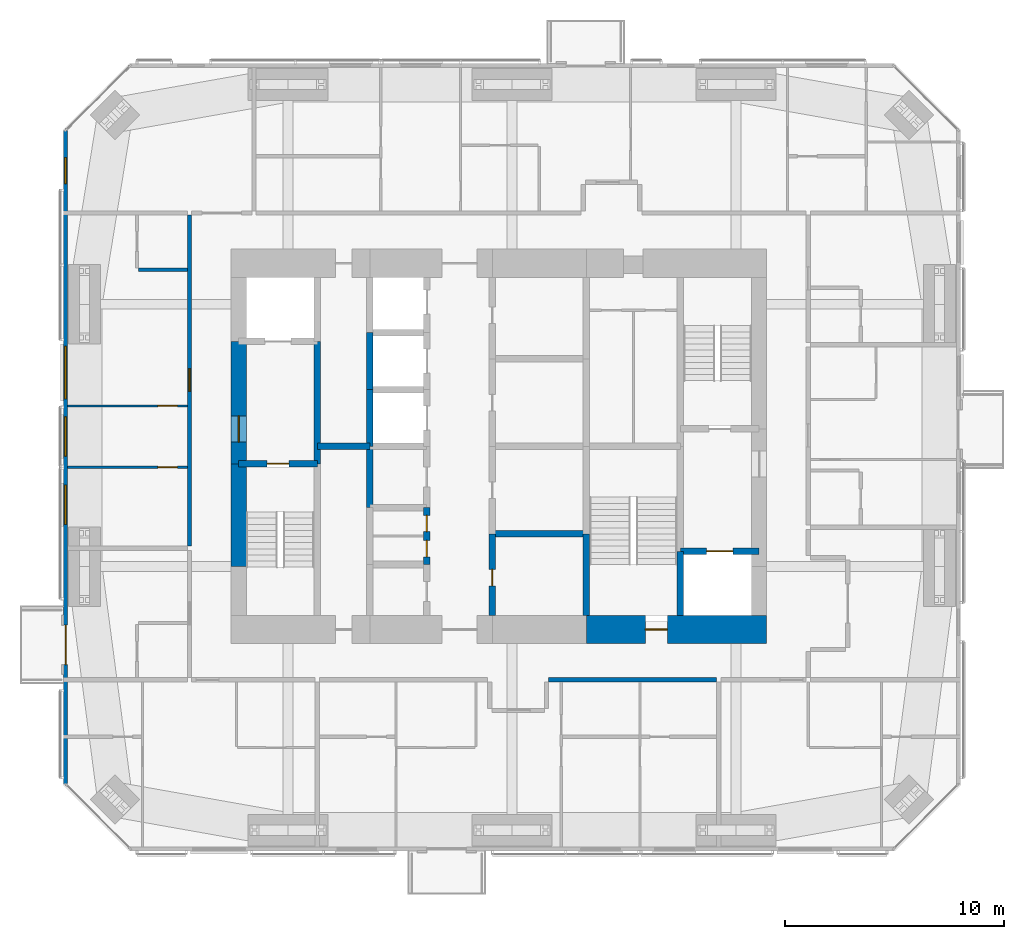
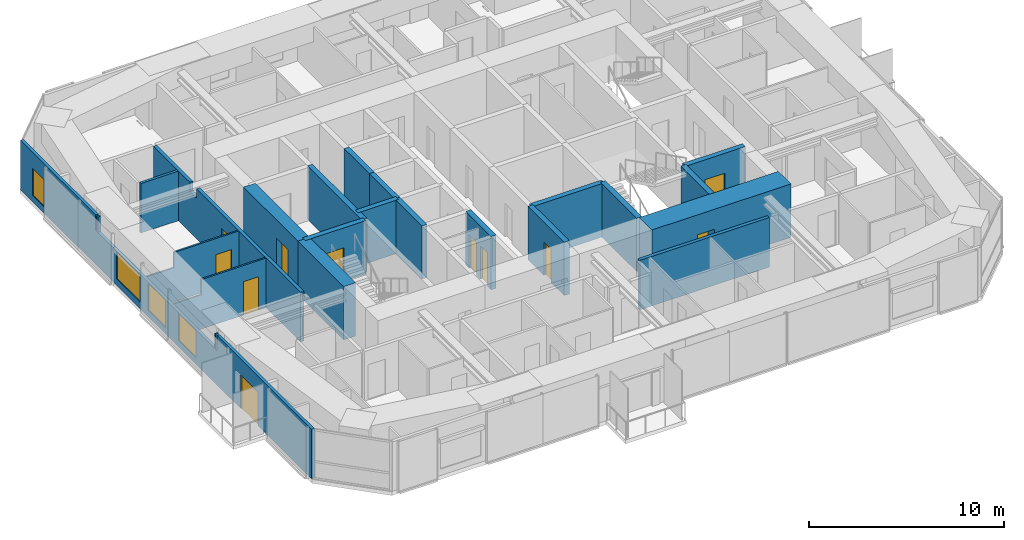
# One storey, part 18 of 23: 21 walls, 11 doors, 4 windows, 15 openings.
"""IFC4 building model written with IfcOpenShell, lengths in metres."""

from ifc_helpers import new_model, si_unit, direction, frame, frame_2d, origin, place, context, subcontext, project, spatial, polyline, rectangle, outline, extrude, material, layer, layer_set, constituent, constituent_set, type_object, element, fill, save


model = new_model("IFC4")

# Units and contexts
model_context = context("Model", 3, precision=1e-05, world=origin(), true_north=direction((0.0, 1.0)))
body_context = subcontext(model_context, "Body", "Model", "MODEL_VIEW")
ifc_project = project(units=[si_unit("LENGTHUNIT", "METRE"), si_unit("AREAUNIT", "SQUARE_METRE"), si_unit("VOLUMEUNIT", "CUBIC_METRE"), si_unit("PLANEANGLEUNIT", "RADIAN"), si_unit("MASSUNIT", "GRAM", prefix="KILO")], contexts=[model_context])

# Site, building, storey
site_placement = place(None, origin())
site = spatial("IfcSite", under=ifc_project, at=site_placement, CompositionType="ELEMENT")
building_placement = place(site_placement, origin())
building = spatial("IfcBuilding", under=site, at=building_placement, Name="Jalousie Tower", CompositionType="ELEMENT")
storey_placement = place(building_placement, frame((0.0, 0.0, 181.14990234375)))
storey = spatial("IfcBuildingStorey", under=building, at=storey_placement, Name="L49", CompositionType="ELEMENT", Elevation=181.14990234375)

# Wall
ifc_material_1 = material(Name="Concrete block ASTM C90", Category="concrete")
ifc_constituent_1 = constituent(ifc_material_1, Name="Body")
ifc_material_2 = material(Name="Render")
ifc_constituent_2 = constituent(ifc_material_2, Name="Finish")
ifc_constituent_set_1 = constituent_set(constituents=[ifc_constituent_1, ifc_constituent_2])
wall_type_1 = type_object("IfcWallType", Name="BATHROOM WALL 150", PredefinedType="PLUMBINGWALL", material=ifc_constituent_set_1)
wall_1_placement = place(storey_placement, frame((15.425048828125, 26.574951171875, 0.0), z_axis=(0.0, 0.0, 1.0), x_axis=(1.0, 0.0, 0.0)))
element("IfcWall", 1, at=wall_1_placement, inside=storey, type_object=wall_type_1, Name="Bathroom Wall 150 L49", PredefinedType="PLUMBINGWALL", context=body_context, shape_type="SweptSolid", body=[
    extrude(rectangle(XDim=2.224853515625, YDim=0.14990234375, at=frame_2d((1.1123046875, 0.0))), origin(), (0.0, 0.0, 1.0), 3.110107421875),
])

# Wall, opening, door
ifc_material_3 = material(Name="Concrete f'c 120 MPa", Category="concrete")
ifc_layer_1 = layer(ifc_material_3, 1.300048828125)
ifc_layer_set_1 = layer_set([ifc_layer_1], Name="Concrete f'c 120 MPa")
wall_type_2 = type_object("IfcWallType", Name="CORE WALL 1300", PredefinedType="SHEAR", material=ifc_layer_set_1)
wall_2_placement = place(storey_placement, frame((35.89990234375, 10.125, 0.0), z_axis=(0.0, 0.0, 1.0), x_axis=(1.0, 0.0, 0.0)))
wall_2 = element("IfcWall", 2, at=wall_2_placement, inside=storey, type_object=wall_type_2, Name="Core wall SD L49", PredefinedType="SHEAR", context=body_context, shape_type="SweptSolid", body=[
    extrude(rectangle(XDim=8.25, YDim=1.300048828125, at=frame_2d((4.125, 0.0))), origin(), (0.0, 0.0, 1.0), 3.35009765625),
])
opening_1_placement = place(wall_2_placement, frame((2.699951171875, 0.0, 0.0)))
opening_1 = element("IfcOpeningElement", 3, at=opening_1_placement, cuts=wall_2, Name="Opening D10", PredefinedType="OPENING", context=body_context, shape_type="SweptSolid", body=[
    extrude(rectangle(XDim=1.0, YDim=2.10009765625, at=frame_2d((0.5, 1.050048828125))), frame((0.0, 0.659912109375, 0.0), z_axis=(0.0, -1.0, 0.0), x_axis=(1.0, 0.0, 0.0)), (0.0, 0.0, 1.0), 1.320068359375),
])
ifc_material_4 = material(Name="Steel fire door", Category="steel")
door_type_1 = type_object("IfcDoorType", Name="STAIR DOOR 1000", OperationType="SINGLE_SWING_LEFT", PredefinedType="DOOR", material=ifc_material_4)
door_1_placement = place(opening_1_placement, origin())
door_1 = element("IfcDoor", 4, at=door_1_placement, inside=storey, type_object=door_type_1, Name="Exit stair C door", OperationType="SINGLE_SWING_RIGHT", OverallHeight=2.10009765625, OverallWidth=1.0, PredefinedType="DOOR", context=body_context, shape_type="SweptSolid", body=[
    extrude(rectangle(XDim=1.0, YDim=2.10009765625, at=frame_2d((0.5, 1.050048828125))), frame((0.0, 0.02490234375, 0.0), z_axis=(0.0, -1.0, 0.0), x_axis=(1.0, 0.0, 0.0)), (0.0, 0.0, 1.0), 0.050048828125),
])
fill(opening_1, door_1)

# Walls
ifc_material_5 = material(Name="Concrete f'c 120 MPa", Category="concrete")
ifc_layer_2 = layer(ifc_material_5, 0.300048828125)
ifc_layer_set_2 = layer_set([ifc_layer_2], Name="Concrete f'c 120 MPa")
wall_type_3 = type_object("IfcWallType", Name="CORE WALL 300", PredefinedType="SHEAR", material=ifc_layer_set_2)
wall_3_placement = place(storey_placement, frame((23.60009765625, 17.699951171875, 0.0), z_axis=(0.0, 0.0, 1.0), x_axis=(0.0, 1.0, 0.0)))
element("IfcWall", 5, at=wall_3_placement, inside=storey, type_object=wall_type_3, Name="Core wall X23.6B L49", PredefinedType="SHEAR", context=body_context, shape_type="SweptSolid", body=[
    extrude(rectangle(XDim=5.60009765625, YDim=0.300048828125, at=frame_2d((2.800048828125, 0.0))), origin(), (0.0, 0.0, 1.0), 3.35009765625),
])
wall_4_placement = place(storey_placement, frame((26.0, 15.699951171875, 0.0), z_axis=(0.0, 0.0, 1.0), x_axis=(0.0, 1.0, 0.0)))
element("IfcWall", 6, at=wall_4_placement, inside=storey, type_object=wall_type_3, Name="Core wall X26C L49", PredefinedType="SHEAR", context=body_context, shape_type="SweptSolid", body=[
    extrude(rectangle(XDim=2.800048828125, YDim=0.300048828125, at=frame_2d((1.39990234375, 0.0))), origin(), (0.0, 0.0, 1.0), 3.35009765625),
])
wall_5_placement = place(storey_placement, frame((26.0, 18.5, 0.0), z_axis=(0.0, 0.0, 1.0), x_axis=(0.0, 1.0, 0.0)))
element("IfcWall", 7, at=wall_5_placement, inside=storey, type_object=wall_type_3, Name="Core wall X26D L49", PredefinedType="SHEAR", context=body_context, shape_type="SweptSolid", body=[
    extrude(rectangle(XDim=2.60009765625, YDim=0.300048828125, at=frame_2d((1.300048828125, 0.0))), origin(), (0.0, 0.0, 1.0), 3.35009765625),
])
wall_6_placement = place(storey_placement, frame((26.0, 21.10009765625, 0.0), z_axis=(0.0, 0.0, 1.0), x_axis=(0.0, 1.0, 0.0)))
element("IfcWall", 8, at=wall_6_placement, inside=storey, type_object=wall_type_3, Name="Core wall X26E L49", PredefinedType="SHEAR", context=body_context, shape_type="SweptSolid", body=[
    extrude(rectangle(XDim=2.599853515625, YDim=0.300048828125, at=frame_2d((1.2998046875, 0.0))), origin(), (0.0, 0.0, 1.0), 3.35009765625),
])

# Wall, openings, doors
wall_7_placement = place(storey_placement, frame((28.60009765625, 13.10009765625, 0.0), z_axis=(0.0, 0.0, 1.0), x_axis=(0.0, 1.0, 0.0)))
wall_7 = element("IfcWall", 9, at=wall_7_placement, inside=storey, type_object=wall_type_3, Name="Core wall X28.6B L49", PredefinedType="SHEAR", context=body_context, shape_type="SweptSolid", body=[
    extrude(rectangle(XDim=2.599853515625, YDim=0.300048828125, at=frame_2d((1.2998046875, 0.0))), origin(), (0.0, 0.0, 1.0), 3.35009765625),
])
opening_2_placement = place(wall_7_placement, frame((0.35009765625, 0.0, 0.0)))
opening_2 = element("IfcOpeningElement", 10, at=opening_2_placement, cuts=wall_7, Name="Opening D27", PredefinedType="OPENING", context=body_context, shape_type="SweptSolid", body=[
    extrude(rectangle(XDim=0.75, YDim=2.10009765625, at=frame_2d((0.375, 1.050048828125))), frame((0.0, 0.159912109375, 0.0), z_axis=(0.0, -1.0, 0.0), x_axis=(1.0, 0.0, 0.0)), (0.0, 0.0, 1.0), 0.320068359375),
])
opening_3_placement = place(wall_7_placement, frame((1.5, 0.0, 0.0)))
opening_3 = element("IfcOpeningElement", 11, at=opening_3_placement, cuts=wall_7, Name="Opening D27", PredefinedType="OPENING", context=body_context, shape_type="SweptSolid", body=[
    extrude(rectangle(XDim=0.75, YDim=2.10009765625, at=frame_2d((0.375, 1.050048828125))), frame((0.0, 0.159912109375, 0.0), z_axis=(0.0, -1.0, 0.0), x_axis=(1.0, 0.0, 0.0)), (0.0, 0.0, 1.0), 0.320068359375),
])
ifc_material_6 = material(Name="Steel fire door", Category="steel")
door_type_2 = type_object("IfcDoorType", Name="CORE ROOM DOOR 750", OperationType="SINGLE_SWING_LEFT", PredefinedType="DOOR", material=ifc_material_6)
door_2_placement = place(opening_2_placement, origin())
door_2 = element("IfcDoor", 12, at=door_2_placement, inside=storey, type_object=door_type_2, Name="Staff WC door", OperationType="SINGLE_SWING_RIGHT", OverallHeight=2.10009765625, OverallWidth=0.75, PredefinedType="DOOR", context=body_context, shape_type="SweptSolid", body=[
    extrude(rectangle(XDim=0.75, YDim=2.10009765625, at=frame_2d((0.375, 1.050048828125))), frame((0.0, 0.02490234375, 0.0), z_axis=(0.0, -1.0, 0.0), x_axis=(1.0, 0.0, 0.0)), (0.0, 0.0, 1.0), 0.050048828125),
])
fill(opening_2, door_2)
door_3_placement = place(opening_3_placement, origin())
door_3 = element("IfcDoor", 13, at=door_3_placement, inside=storey, type_object=door_type_2, Name="Store door", OperationType="SINGLE_SWING_LEFT", OverallHeight=2.10009765625, OverallWidth=0.75, PredefinedType="DOOR", context=body_context, shape_type="SweptSolid", body=[
    extrude(rectangle(XDim=0.75, YDim=2.10009765625, at=frame_2d((0.375, 1.050048828125))), frame((0.0, 0.02490234375, 0.0), z_axis=(0.0, -1.0, 0.0), x_axis=(1.0, 0.0, 0.0)), (0.0, 0.0, 1.0), 0.050048828125),
])
fill(opening_3, door_3)

# Wall, opening, door
wall_8_placement = place(storey_placement, frame((31.60009765625, 10.77490234375, 0.0), z_axis=(0.0, 0.0, 1.0), x_axis=(0.0, 1.0, 0.0)))
wall_8 = element("IfcWall", 14, at=wall_8_placement, inside=storey, type_object=wall_type_3, Name="Core wall X31.6A L49", PredefinedType="SHEAR", context=body_context, shape_type="SweptSolid", body=[
    extrude(rectangle(XDim=3.72509765625, YDim=0.300048828125, at=frame_2d((1.862548828125, 0.0))), origin(), (0.0, 0.0, 1.0), 3.35009765625),
])
opening_4_placement = place(wall_8_placement, frame((1.35009765625, 0.0, 0.0)))
opening_4 = element("IfcOpeningElement", 15, at=opening_4_placement, cuts=wall_8, Name="Opening D16", PredefinedType="OPENING", context=body_context, shape_type="SweptSolid", body=[
    extrude(rectangle(XDim=0.75, YDim=2.10009765625, at=frame_2d((0.375, 1.050048828125))), frame((0.0, 0.159912109375, 0.0), z_axis=(0.0, -1.0, 0.0), x_axis=(1.0, 0.0, 0.0)), (0.0, 0.0, 1.0), 0.320068359375),
])
ifc_material_7 = material(Name="Steel fire door", Category="steel")
door_type_3 = type_object("IfcDoorType", Name="RISER DOOR 750", OperationType="SINGLE_SWING_LEFT", PredefinedType="DOOR", material=ifc_material_7)
door_4_placement = place(opening_4_placement, frame((0.75, 0.0, 0.0), z_axis=(0.0, 0.0, 1.0), x_axis=(-1.0, 0.0, 0.0)))
door_4 = element("IfcDoor", 16, at=door_4_placement, inside=storey, type_object=door_type_3, Name="Refuse Room door", OperationType="SINGLE_SWING_RIGHT", OverallHeight=2.10009765625, OverallWidth=0.75, PredefinedType="DOOR", context=body_context, shape_type="SweptSolid", body=[
    extrude(rectangle(XDim=0.75, YDim=2.10009765625, at=frame_2d((0.375, 1.050048828125))), frame((0.0, 0.02490234375, 0.0), z_axis=(0.0, -1.0, 0.0), x_axis=(1.0, 0.0, 0.0)), (0.0, 0.0, 1.0), 0.050048828125),
])
fill(opening_4, door_4)

# Walls
wall_9_placement = place(storey_placement, frame((35.89990234375, 10.77490234375, 0.0), z_axis=(0.0, 0.0, 1.0), x_axis=(0.0, 1.0, 0.0)))
element("IfcWall", 17, at=wall_9_placement, inside=storey, type_object=wall_type_3, Name="Core wall X35.9A L49", PredefinedType="SHEAR", context=body_context, shape_type="SweptSolid", body=[
    extrude(rectangle(XDim=3.72509765625, YDim=0.300048828125, at=frame_2d((1.862548828125, 0.0))), origin(), (0.0, 0.0, 1.0), 3.35009765625),
])
wall_10_placement = place(storey_placement, frame((40.199951171875, 10.77490234375, 0.0), z_axis=(0.0, 0.0, 1.0), x_axis=(0.0, 1.0, 0.0)))
element("IfcWall", 18, at=wall_10_placement, inside=storey, type_object=wall_type_3, Name="Core wall X40.2A L49", PredefinedType="SHEAR", context=body_context, shape_type="SweptSolid", body=[
    extrude(rectangle(XDim=2.925048828125, YDim=0.300048828125, at=frame_2d((1.46240234375, 0.0))), origin(), (0.0, 0.0, 1.0), 3.35009765625),
])

# Wall, opening, door
wall_11_placement = place(storey_placement, frame((20.0, 17.699951171875, 0.0), z_axis=(0.0, 0.0, 1.0), x_axis=(1.0, 0.0, 0.0)))
wall_11 = element("IfcWall", 19, at=wall_11_placement, inside=storey, type_object=wall_type_3, Name="Core wall Y20-17.7 L49", PredefinedType="SHEAR", context=body_context, shape_type="SweptSolid", body=[
    extrude(rectangle(XDim=3.60009765625, YDim=0.300048828125, at=frame_2d((1.800048828125, 0.0))), origin(), (0.0, 0.0, 1.0), 3.35009765625),
])
opening_5_placement = place(wall_11_placement, frame((1.300048828125, 0.0, 0.0)))
opening_5 = element("IfcOpeningElement", 20, at=opening_5_placement, cuts=wall_11, Name="Opening D10", PredefinedType="OPENING", context=body_context, shape_type="SweptSolid", body=[
    extrude(rectangle(XDim=1.0, YDim=2.10009765625, at=frame_2d((0.5, 1.050048828125))), frame((0.0, 0.159912109375, 0.0), z_axis=(0.0, -1.0, 0.0), x_axis=(1.0, 0.0, 0.0)), (0.0, 0.0, 1.0), 0.320068359375),
])
door_5_placement = place(opening_5_placement, frame((1.0, 0.0, 0.0), z_axis=(0.0, 0.0, 1.0), x_axis=(-1.0, 0.0, 0.0)))
door_5 = element("IfcDoor", 21, at=door_5_placement, inside=storey, type_object=door_type_1, Name="Exit stair A door", OperationType="SINGLE_SWING_RIGHT", OverallHeight=2.10009765625, OverallWidth=1.0, PredefinedType="DOOR", context=body_context, shape_type="SweptSolid", body=[
    extrude(rectangle(XDim=1.0, YDim=2.10009765625, at=frame_2d((0.5, 1.050048828125))), frame((0.0, 0.02490234375, 0.0), z_axis=(0.0, -1.0, 0.0), x_axis=(1.0, 0.0, 0.0)), (0.0, 0.0, 1.0), 0.050048828125),
])
fill(opening_5, door_5)

# Walls
wall_12_placement = place(storey_placement, frame((23.60009765625, 18.5, 0.0), z_axis=(0.0, 0.0, 1.0), x_axis=(1.0, 0.0, 0.0)))
element("IfcWall", 22, at=wall_12_placement, inside=storey, type_object=wall_type_3, Name="Core wall Y23.6-18.5 L49", PredefinedType="SHEAR", context=body_context, shape_type="SweptSolid", body=[
    extrude(rectangle(XDim=2.39990234375, YDim=0.300048828125, at=frame_2d((1.199951171875, 0.0))), origin(), (0.0, 0.0, 1.0), 3.35009765625),
])
wall_13_placement = place(storey_placement, frame((31.60009765625, 14.5, 0.0), z_axis=(0.0, 0.0, 1.0), x_axis=(1.0, 0.0, 0.0)))
element("IfcWall", 23, at=wall_13_placement, inside=storey, type_object=wall_type_3, Name="Core wall Y31.6-14.5 L49", PredefinedType="SHEAR", context=body_context, shape_type="SweptSolid", body=[
    extrude(rectangle(XDim=4.2998046875, YDim=0.300048828125, at=frame_2d((2.14990234375, 0.0))), origin(), (0.0, 0.0, 1.0), 3.35009765625),
])

# Wall, opening, door
wall_14_placement = place(storey_placement, frame((40.199951171875, 13.699951171875, 0.0), z_axis=(0.0, 0.0, 1.0), x_axis=(1.0, 0.0, 0.0)))
wall_14 = element("IfcWall", 24, at=wall_14_placement, inside=storey, type_object=wall_type_3, Name="Core wall Y40.2-13.7 L49", PredefinedType="SHEAR", context=body_context, shape_type="SweptSolid", body=[
    extrude(rectangle(XDim=3.60009765625, YDim=0.300048828125, at=frame_2d((1.800048828125, 0.0))), origin(), (0.0, 0.0, 1.0), 3.35009765625),
])
opening_6_placement = place(wall_14_placement, frame((1.199951171875, 0.0, 0.0)))
opening_6 = element("IfcOpeningElement", 25, at=opening_6_placement, cuts=wall_14, Name="Opening LD2", PredefinedType="OPENING", context=body_context, shape_type="SweptSolid", body=[
    extrude(rectangle(XDim=1.199951171875, YDim=2.10009765625, at=frame_2d((0.60009765625, 1.050048828125))), frame((0.0, 0.159912109375, 0.0), z_axis=(0.0, -1.0, 0.0), x_axis=(1.0, 0.0, 0.0)), (0.0, 0.0, 1.0), 0.320068359375),
])
ifc_material_8 = material(Name="Steel lift landing door", Category="steel")
door_type_4 = type_object("IfcDoorType", Name="LIFT LANDING DOOR 1200", OperationType="SLIDING_TO_LEFT", PredefinedType="DOOR", material=ifc_material_8)
door_6_placement = place(opening_6_placement, origin())
door_6 = element("IfcDoor", 26, at=door_6_placement, inside=storey, type_object=door_type_4, Name="Lift F2 landing door", OperationType="SLIDING_TO_LEFT", OverallHeight=2.10009765625, OverallWidth=1.199951171875, PredefinedType="DOOR", context=body_context, shape_type="SweptSolid", body=[
    extrude(rectangle(XDim=1.199951171875, YDim=2.10009765625, at=frame_2d((0.60009765625, 1.050048828125))), frame((0.0, 0.02490234375, 0.0), z_axis=(0.0, -1.0, 0.0), x_axis=(1.0, 0.0, 0.0)), (0.0, 0.0, 1.0), 0.050048828125),
])
fill(opening_6, door_6)

ifc_material_9 = material(Name="Concrete f'c 120 MPa", Category="concrete")
ifc_layer_3 = layer(ifc_material_9, 0.699951171875)
ifc_layer_set_3 = layer_set([ifc_layer_3], Name="Concrete f'c 120 MPa")
wall_type_4 = type_object("IfcWallType", Name="CORE WALL 700", PredefinedType="SHEAR", material=ifc_layer_set_3)
wall_15_placement = place(storey_placement, frame((20.0, 23.300048828125, 0.0), z_axis=(0.0, 0.0, 1.0), x_axis=(0.0, -1.0, 0.0)))
wall_15 = element("IfcWall", 27, at=wall_15_placement, inside=storey, type_object=wall_type_4, Name="Core wall WB L49", PredefinedType="SHEAR", context=body_context, shape_type="SweptSolid", body=[
    extrude(rectangle(XDim=5.60009765625, YDim=0.699951171875, at=frame_2d((2.800048828125, 0.0))), origin(), (0.0, 0.0, 1.0), 3.35009765625),
])
opening_7_placement = place(wall_15_placement, frame((3.39990234375, 0.0, 0.0)))
opening_7 = element("IfcOpeningElement", 28, at=opening_7_placement, cuts=wall_15, Name="Opening D11", PredefinedType="OPENING", context=body_context, shape_type="SweptSolid", body=[
    extrude(rectangle(XDim=1.199951171875, YDim=2.199951171875, at=frame_2d((0.60009765625, 1.10009765625))), frame((0.0, 0.35986328125, 0.0), z_axis=(0.0, -1.0, 0.0), x_axis=(1.0, 0.0, 0.0)), (0.0, 0.0, 1.0), 0.719970703125),
])
ifc_material_10 = material(Name="Steel fire door", Category="steel")
door_type_5 = type_object("IfcDoorType", Name="FIRE DOOR 1200", OperationType="SINGLE_SWING_LEFT", PredefinedType="DOOR", material=ifc_material_10)
door_7_placement = place(opening_7_placement, origin())
door_7 = element("IfcDoor", 29, at=door_7_placement, inside=storey, type_object=door_type_5, Name="Fire-fighting lobby A door", OperationType="SINGLE_SWING_RIGHT", OverallHeight=2.199951171875, OverallWidth=1.199951171875, PredefinedType="DOOR", context=body_context, shape_type="SweptSolid", body=[
    extrude(rectangle(XDim=1.199951171875, YDim=2.199951171875, at=frame_2d((0.60009765625, 1.10009765625))), frame((0.0, 0.02490234375, 0.0), z_axis=(0.0, -1.0, 0.0), x_axis=(1.0, 0.0, 0.0)), (0.0, 0.0, 1.0), 0.050048828125),
])
fill(opening_7, door_7)

# Wall
wall_16_placement = place(storey_placement, frame((20.0, 17.699951171875, 0.0), z_axis=(0.0, 0.0, 1.0), x_axis=(0.0, -1.0, 0.0)))
element("IfcWall", 30, at=wall_16_placement, inside=storey, type_object=wall_type_4, Name="Core wall WC L49", PredefinedType="SHEAR", context=body_context, shape_type="SweptSolid", body=[
    extrude(rectangle(XDim=4.699951171875, YDim=0.699951171875, at=frame_2d((2.35009765625, 0.0))), origin(), (0.0, 0.0, 1.0), 3.35009765625),
])

# Wall, opening, door
ifc_material_11 = material(Name="Concrete block ASTM C90", Category="concrete")
ifc_constituent_3 = constituent(ifc_material_11, Name="Body")
ifc_material_12 = material(Name="Render")
ifc_constituent_4 = constituent(ifc_material_12, Name="Finish")
ifc_constituent_set_2 = constituent_set(constituents=[ifc_constituent_3, ifc_constituent_4])
wall_type_5 = type_object("IfcWallType", Name="CORRIDOR WALL 200", PredefinedType="PARTITIONING", material=ifc_constituent_set_2)
wall_17_placement = place(storey_placement, frame((17.75, 13.949951171875, 0.0), z_axis=(0.0, 0.0, 1.0), x_axis=(0.0, 1.0, 0.0)))
wall_17 = element("IfcWall", 31, at=wall_17_placement, inside=storey, type_object=wall_type_5, Name="Corridor Wall 200 L49", PredefinedType="PARTITIONING", context=body_context, shape_type="SweptSolid", body=[
    extrude(outline(polyline([(0.0, 0.0), (15.125, 0.0), (15.125, 3.110107421875), (11.387451171875, 3.110107421875), (11.387451171875, 2.541015625), (10.712646484375, 2.541015625), (10.712646484375, 3.110107421875), (0.0, 3.110107421875), (0.0, 0.0)])), frame((0.0, 0.10009765625, 0.0), z_axis=(0.0, -1.0, 0.0), x_axis=(1.0, 0.0, 0.0)), (0.0, 0.0, 1.0), 0.199951171875),
])
opening_8_placement = place(wall_17_placement, frame((7.0625, 0.0, 0.0)))
opening_8 = element("IfcOpeningElement", 32, at=opening_8_placement, cuts=wall_17, Name="Opening D1", PredefinedType="OPENING", context=body_context, shape_type="SweptSolid", body=[
    extrude(rectangle(XDim=1.050048828125, YDim=2.199951171875, at=frame_2d((0.52490234375, 1.10009765625))), frame((0.0, 0.10986328125, 0.0), z_axis=(0.0, -1.0, 0.0), x_axis=(1.0, 0.0, 0.0)), (0.0, 0.0, 1.0), 0.219970703125),
])
ifc_material_13 = material(Name="Timber fire door", Category="wood")
door_type_6 = type_object("IfcDoorType", Name="APARTMENT ENTRANCE DOOR 1050", OperationType="SINGLE_SWING_LEFT", PredefinedType="DOOR", material=ifc_material_13)
door_8_placement = place(opening_8_placement, origin())
door_8 = element("IfcDoor", 33, at=door_8_placement, inside=storey, type_object=door_type_6, Name="Apartment 4906 entrance", OperationType="SINGLE_SWING_LEFT", OverallHeight=2.199951171875, OverallWidth=1.050048828125, PredefinedType="DOOR", context=body_context, shape_type="SweptSolid", body=[
    extrude(rectangle(XDim=1.050048828125, YDim=2.199951171875, at=frame_2d((0.52490234375, 1.10009765625))), frame((0.0, 0.02490234375, 0.0), z_axis=(0.0, -1.0, 0.0), x_axis=(1.0, 0.0, 0.0)), (0.0, 0.0, 1.0), 0.050048828125),
])
fill(opening_8, door_8)

# Wall
wall_18_placement = place(storey_placement, frame((34.175048828125, 7.824951171875, 0.0), z_axis=(0.0, 0.0, 1.0), x_axis=(1.0, 0.0, 0.0)))
element("IfcWall", 34, at=wall_18_placement, inside=storey, type_object=wall_type_5, Name="Corridor Wall 200 L49", PredefinedType="PARTITIONING", context=body_context, shape_type="SweptSolid", body=[
    extrude(rectangle(XDim=7.675048828125, YDim=0.199951171875, at=frame_2d((3.83740234375, 0.0))), origin(), (0.0, 0.0, 1.0), 3.110107421875),
])

# Wall, openings, door, windows
ifc_material_14 = material(Name="Concrete f'c 40 MPa", Category="concrete")
ifc_constituent_5 = constituent(ifc_material_14, Name="Body")
ifc_material_15 = material(Name="Render, pastel lemon")
ifc_constituent_6 = constituent(ifc_material_15, Name="Finish")
ifc_constituent_set_3 = constituent_set(constituents=[ifc_constituent_5, ifc_constituent_6])
wall_type_6 = type_object("IfcWallType", Name="EXTERNAL WALL 175 LEMON RENDER", PredefinedType="SOLIDWALL", material=ifc_constituent_set_3)
wall_19_placement = place(storey_placement, frame((12.08740234375, 32.94873046875, 0.0), z_axis=(0.0, 0.0, 1.0), x_axis=(0.0, -1.0, 0.0)))
wall_19 = element("IfcWall", 35, at=wall_19_placement, inside=storey, type_object=wall_type_6, Name="External Wall 175 Lemon Render L49", PredefinedType="SOLIDWALL", context=body_context, shape_type="SweptSolid", body=[
    extrude(outline(polyline([(0.0, 0.0), (29.8974609375, 0.0), (29.8974609375, 3.110107421875), (20.19140625, 3.110107421875), (20.19140625, 2.150146484375), (20.050537109375, 2.150146484375), (20.050537109375, 3.110107421875), (19.94873046875, 3.110107421875), (19.94873046875, 2.150146484375), (7.94873046875, 2.150146484375), (7.94873046875, 3.110107421875), (7.823486328125, 3.110107421875), (7.823486328125, 2.150146484375), (7.729736328125, 2.150146484375), (7.729736328125, 3.110107421875), (0.0, 3.110107421875), (0.0, 0.0)])), frame((0.0, 0.08740234375, 0.0), z_axis=(0.0, -1.0, 0.0), x_axis=(1.0, 0.0, 0.0)), (0.0, 0.0, 1.0), 0.175048828125),
])
opening_9_placement = place(wall_19_placement, frame((1.23681640625, 0.0, 0.39990234375)))
opening_9 = element("IfcOpeningElement", 36, at=opening_9_placement, cuts=wall_19, Name="Opening W-COR170", PredefinedType="OPENING", context=body_context, shape_type="SweptSolid", body=[
    extrude(rectangle(XDim=1.199951171875, YDim=1.699951171875, at=frame_2d((0.60009765625, 0.85009765625))), frame((0.0, 0.097412109375, 0.0), z_axis=(0.0, -1.0, 0.0), x_axis=(1.0, 0.0, 0.0)), (0.0, 0.0, 1.0), 0.195068359375),
])
opening_10_placement = place(wall_19_placement, frame((9.873779296875, 0.0, 0.39990234375)))
opening_10 = element("IfcOpeningElement", 37, at=opening_10_placement, cuts=wall_19, Name="Opening W-LIV170", PredefinedType="OPENING", context=body_context, shape_type="SweptSolid", body=[
    extrude(rectangle(XDim=2.39990234375, YDim=1.699951171875, at=frame_2d((1.199951171875, 0.85009765625))), frame((0.0, 0.097412109375, 0.0), z_axis=(0.0, -1.0, 0.0), x_axis=(1.0, 0.0, 0.0)), (0.0, 0.0, 1.0), 0.195068359375),
])
opening_11_placement = place(wall_19_placement, frame((13.0986328125, 0.0, 0.39990234375)))
opening_11 = element("IfcOpeningElement", 38, at=opening_11_placement, cuts=wall_19, Name="Opening W-BED170", PredefinedType="OPENING", context=body_context, shape_type="SweptSolid", body=[
    extrude(rectangle(XDim=1.800048828125, YDim=1.699951171875, at=frame_2d((0.89990234375, 0.85009765625))), frame((0.0, 0.097412109375, 0.0), z_axis=(0.0, -1.0, 0.0), x_axis=(1.0, 0.0, 0.0)), (0.0, 0.0, 1.0), 0.195068359375),
])
opening_12_placement = place(wall_19_placement, frame((16.21875, 0.0, 0.39990234375)))
opening_12 = element("IfcOpeningElement", 39, at=opening_12_placement, cuts=wall_19, Name="Opening W-BED170", PredefinedType="OPENING", context=body_context, shape_type="SweptSolid", body=[
    extrude(rectangle(XDim=1.800048828125, YDim=1.699951171875, at=frame_2d((0.89990234375, 0.85009765625))), frame((0.0, 0.097412109375, 0.0), z_axis=(0.0, -1.0, 0.0), x_axis=(1.0, 0.0, 0.0)), (0.0, 0.0, 1.0), 0.195068359375),
])
opening_13_placement = place(wall_19_placement, frame((22.623779296875, 0.0, 0.0)))
opening_13 = element("IfcOpeningElement", 40, at=opening_13_placement, cuts=wall_19, Name="Opening D-BAL21", PredefinedType="OPENING", context=body_context, shape_type="SweptSolid", body=[
    extrude(rectangle(XDim=1.800048828125, YDim=2.10009765625, at=frame_2d((0.89990234375, 1.050048828125))), frame((0.0, 0.097412109375, 0.0), z_axis=(0.0, -1.0, 0.0), x_axis=(1.0, 0.0, 0.0)), (0.0, 0.0, 1.0), 0.195068359375),
])
ifc_material_16 = material(Name="Aluminium frame, impact-rated glazing", Category="aluminium")
door_type_7 = type_object("IfcDoorType", Name="BALCONY DOOR 1800x2100", OperationType="SLIDING_TO_LEFT", PredefinedType="DOOR", material=ifc_material_16)
door_9_placement = place(opening_13_placement, origin())
door_9 = element("IfcDoor", 41, at=door_9_placement, inside=storey, type_object=door_type_7, Name="Apartment 4905 studio kitchen, living and sleeping room balcony door", OperationType="SLIDING_TO_LEFT", OverallHeight=2.10009765625, OverallWidth=1.800048828125, PredefinedType="DOOR", context=body_context, shape_type="SweptSolid", body=[
    extrude(rectangle(XDim=1.800048828125, YDim=2.10009765625, at=frame_2d((0.89990234375, 1.050048828125))), frame((0.0, 0.02490234375, 0.0), z_axis=(0.0, -1.0, 0.0), x_axis=(1.0, 0.0, 0.0)), (0.0, 0.0, 1.0), 0.050048828125),
])
fill(opening_13, door_9)
ifc_material_17 = material(Name="Aluminium frame, impact-rated glazing", Category="aluminium")
window_type_1 = type_object("IfcWindowType", Name="WINDOW BED 1800x1700", PartitioningType="SINGLE_PANEL", PredefinedType="WINDOW", material=ifc_material_17)
window_1_placement = place(opening_11_placement, origin())
window_1 = element("IfcWindow", 42, at=window_1_placement, inside=storey, type_object=window_type_1, Name="Apartment 4906 bedroom 2 window", OverallHeight=1.699951171875, OverallWidth=1.800048828125, PartitioningType="SINGLE_PANEL", PredefinedType="WINDOW", context=body_context, shape_type="SweptSolid", body=[
    extrude(rectangle(XDim=1.800048828125, YDim=1.699951171875, at=frame_2d((0.89990234375, 0.85009765625))), frame((0.0, 0.030029296875, 0.0), z_axis=(0.0, -1.0, 0.0), x_axis=(1.0, 0.0, 0.0)), (0.0, 0.0, 1.0), 0.06005859375),
])
fill(opening_11, window_1)
window_2_placement = place(opening_12_placement, origin())
window_2 = element("IfcWindow", 43, at=window_2_placement, inside=storey, type_object=window_type_1, Name="Apartment 4906 bedroom 1 window", OverallHeight=1.699951171875, OverallWidth=1.800048828125, PartitioningType="SINGLE_PANEL", PredefinedType="WINDOW", context=body_context, shape_type="SweptSolid", body=[
    extrude(rectangle(XDim=1.800048828125, YDim=1.699951171875, at=frame_2d((0.89990234375, 0.85009765625))), frame((0.0, 0.030029296875, 0.0), z_axis=(0.0, -1.0, 0.0), x_axis=(1.0, 0.0, 0.0)), (0.0, 0.0, 1.0), 0.06005859375),
])
fill(opening_12, window_2)
ifc_material_18 = material(Name="Aluminium frame, impact-rated glazing", Category="aluminium")
window_type_2 = type_object("IfcWindowType", Name="WINDOW COR 1200x1700", PartitioningType="SINGLE_PANEL", PredefinedType="WINDOW", material=ifc_material_18)
window_3_placement = place(opening_9_placement, origin())
window_3 = element("IfcWindow", 44, at=window_3_placement, inside=storey, type_object=window_type_2, Name="Residents' lounge window", OverallHeight=1.699951171875, OverallWidth=1.199951171875, PartitioningType="SINGLE_PANEL", PredefinedType="WINDOW", context=body_context, shape_type="SweptSolid", body=[
    extrude(rectangle(XDim=1.199951171875, YDim=1.699951171875, at=frame_2d((0.60009765625, 0.85009765625))), frame((0.0, 0.030029296875, 0.0), z_axis=(0.0, -1.0, 0.0), x_axis=(1.0, 0.0, 0.0)), (0.0, 0.0, 1.0), 0.06005859375),
])
fill(opening_9, window_3)
ifc_material_19 = material(Name="Aluminium frame, impact-rated glazing", Category="aluminium")
window_type_3 = type_object("IfcWindowType", Name="WINDOW LIV 2400x1700", PartitioningType="DOUBLE_PANEL_VERTICAL", PredefinedType="WINDOW", material=ifc_material_19)
window_4_placement = place(opening_10_placement, origin())
window_4 = element("IfcWindow", 45, at=window_4_placement, inside=storey, type_object=window_type_3, Name="Apartment 4906 living, dining and kitchen window", OverallHeight=1.699951171875, OverallWidth=2.39990234375, PartitioningType="SINGLE_PANEL", PredefinedType="WINDOW", context=body_context, shape_type="SweptSolid", body=[
    extrude(rectangle(XDim=2.39990234375, YDim=1.699951171875, at=frame_2d((1.199951171875, 0.85009765625))), frame((0.0, 0.030029296875, 0.0), z_axis=(0.0, -1.0, 0.0), x_axis=(1.0, 0.0, 0.0)), (0.0, 0.0, 1.0), 0.06005859375),
])
fill(opening_10, window_4)

# Wall, opening, door
ifc_material_20 = material(Name="Gypsum board", Category="gypsum")
ifc_constituent_7 = constituent(ifc_material_20, Name="Body")
ifc_material_21 = material(Name="Light-gauge steel studs ASTM A653 SS Grade 33", Category="steel")
ifc_constituent_8 = constituent(ifc_material_21, Name="Framing")
ifc_constituent_set_4 = constituent_set(constituents=[ifc_constituent_7, ifc_constituent_8])
wall_type_7 = type_object("IfcWallType", Name="PARTITION 100", PredefinedType="PARTITIONING", material=ifc_constituent_set_4)
wall_20_placement = place(storey_placement, frame((12.175048828125, 17.550048828125, 0.0), z_axis=(0.0, 0.0, 1.0), x_axis=(1.0, 0.0, 0.0)))
wall_20 = element("IfcWall", 46, at=wall_20_placement, inside=storey, type_object=wall_type_7, Name="Partition 100 L49", PredefinedType="PARTITIONING", context=body_context, shape_type="SweptSolid", body=[
    extrude(outline(polyline([(0.0, 0.0), (5.474853515625, 0.0), (5.47509765625, 3.110107421875), (1.635009765625, 3.110107421875), (1.635009765625, 2.150146484375), (0.0, 2.150146484375), (0.0, 3.110107421875), (0.0, 0.0)])), frame((0.0, 0.050048828125, 0.0), z_axis=(0.0, -1.0, 0.0), x_axis=(1.0, 0.0, 0.0)), (0.0, 0.0, 1.0), 0.10009765625),
])
opening_14_placement = place(wall_20_placement, frame((4.125, 0.0, 0.0)))
opening_14 = element("IfcOpeningElement", 47, at=opening_14_placement, cuts=wall_20, Name="Opening D2", PredefinedType="OPENING", context=body_context, shape_type="SweptSolid", body=[
    extrude(rectangle(XDim=0.89990234375, YDim=2.10009765625, at=frame_2d((0.449951171875, 1.050048828125))), frame((0.0, 0.06005859375, 0.0), z_axis=(0.0, -1.0, 0.0), x_axis=(1.0, 0.0, 0.0)), (0.0, 0.0, 1.0), 0.1201171875),
])
ifc_material_22 = material(Name="Timber door", Category="wood")
door_type_8 = type_object("IfcDoorType", Name="BEDROOM DOOR 900", OperationType="SINGLE_SWING_LEFT", PredefinedType="DOOR", material=ifc_material_22)
door_10_placement = place(opening_14_placement, frame((0.89990234375, 0.0, 0.0), z_axis=(0.0, 0.0, 1.0), x_axis=(-1.0, 0.0, 0.0)))
door_10 = element("IfcDoor", 48, at=door_10_placement, inside=storey, type_object=door_type_8, Name="Apartment 4906 bedroom 1 door", OperationType="SINGLE_SWING_LEFT", OverallHeight=2.10009765625, OverallWidth=0.89990234375, PredefinedType="DOOR", context=body_context, shape_type="SweptSolid", body=[
    extrude(rectangle(XDim=0.89990234375, YDim=2.10009765625, at=frame_2d((0.449951171875, 1.050048828125))), frame((0.0, 0.02490234375, 0.0), z_axis=(0.0, -1.0, 0.0), x_axis=(1.0, 0.0, 0.0)), (0.0, 0.0, 1.0), 0.050048828125),
])
fill(opening_14, door_10)

wall_21_placement = place(storey_placement, frame((12.175048828125, 20.35009765625, 0.0), z_axis=(0.0, 0.0, 1.0), x_axis=(1.0, 0.0, 0.0)))
wall_21 = element("IfcWall", 49, at=wall_21_placement, inside=storey, type_object=wall_type_7, Name="Partition 100 L49", PredefinedType="PARTITIONING", context=body_context, shape_type="SweptSolid", body=[
    extrude(outline(polyline([(0.0, 0.0), (5.474853515625, 0.0), (5.47509765625, 3.110107421875), (1.635009765625, 3.110107421875), (1.635009765625, 2.150146484375), (0.0, 2.150146484375), (0.0, 3.110107421875), (0.0, 0.0)])), frame((0.0, 0.050048828125, 0.0), z_axis=(0.0, -1.0, 0.0), x_axis=(1.0, 0.0, 0.0)), (0.0, 0.0, 1.0), 0.10009765625),
])
opening_15_placement = place(wall_21_placement, frame((4.125, 0.0, 0.0)))
opening_15 = element("IfcOpeningElement", 50, at=opening_15_placement, cuts=wall_21, Name="Opening D2", PredefinedType="OPENING", context=body_context, shape_type="SweptSolid", body=[
    extrude(rectangle(XDim=0.89990234375, YDim=2.10009765625, at=frame_2d((0.449951171875, 1.050048828125))), frame((0.0, 0.06005859375, 0.0), z_axis=(0.0, -1.0, 0.0), x_axis=(1.0, 0.0, 0.0)), (0.0, 0.0, 1.0), 0.1201171875),
])
door_11_placement = place(opening_15_placement, frame((0.89990234375, 0.0, 0.0), z_axis=(0.0, 0.0, 1.0), x_axis=(-1.0, 0.0, 0.0)))
door_11 = element("IfcDoor", 51, at=door_11_placement, inside=storey, type_object=door_type_8, Name="Apartment 4906 bedroom 2 door", OperationType="SINGLE_SWING_LEFT", OverallHeight=2.10009765625, OverallWidth=0.89990234375, PredefinedType="DOOR", context=body_context, shape_type="SweptSolid", body=[
    extrude(rectangle(XDim=0.89990234375, YDim=2.10009765625, at=frame_2d((0.449951171875, 1.050048828125))), frame((0.0, 0.02490234375, 0.0), z_axis=(0.0, -1.0, 0.0), x_axis=(1.0, 0.0, 0.0)), (0.0, 0.0, 1.0), 0.050048828125),
])
fill(opening_15, door_11)

save(model, "model.ifc")
